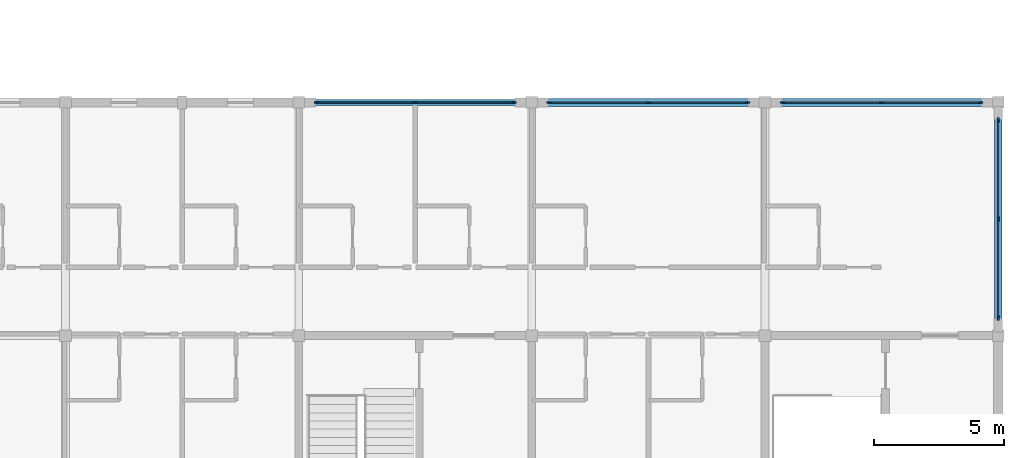
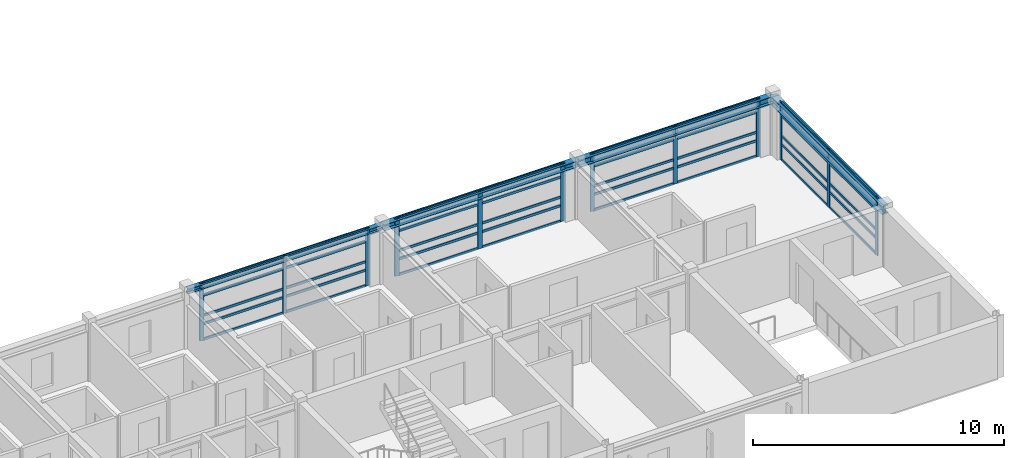
# One storey, part 5 of 20: 52 members, 4 beams, 4 elements without a shape of their own.
"""IFC4 building model written with IfcOpenShell, lengths in metres."""

from ifc_helpers import new_model, si_unit, direction, frame, origin, origin_2d, place, context, subcontext, project, spatial, rectangle, i_section, extrude, material, material_profile, profile_set, type_object, element, aggregate, save


model = new_model("IFC4")

# Units and contexts
model_context = context("Model", 3, precision=1e-05, world=origin(), true_north=direction((0.0, 1.0)))
body_context = subcontext(model_context, "Body", "Model", "MODEL_VIEW")
ifc_project = project(units=[si_unit("LENGTHUNIT", "METRE"), si_unit("AREAUNIT", "SQUARE_METRE"), si_unit("VOLUMEUNIT", "CUBIC_METRE"), si_unit("PLANEANGLEUNIT", "RADIAN"), si_unit("MASSUNIT", "GRAM", prefix="KILO")], contexts=[model_context])

# Site, building, storey
site_placement = place(None, origin())
site = spatial("IfcSite", under=ifc_project, at=site_placement, CompositionType="ELEMENT")
building_placement = place(site_placement, origin())
building = spatial("IfcBuilding", under=site, at=building_placement, Name="Palais des Congres Ocreval", CompositionType="ELEMENT")
storey_placement = place(building_placement, frame((0.0, 0.0, 20.639892578125)))
storey = spatial("IfcBuildingStorey", under=building, at=storey_placement, Name="L06", CompositionType="ELEMENT", Elevation=20.639892578125)

# Curtain wall, members
ifc_material_1 = material(Name="Anodized bronze aluminium and low-E glass", Category="glass")
curtain_wall_type = type_object("IfcCurtainWallType", Name="Unitised Curtain Wall 7900x2820", PredefinedType="USERDEFINED", material=ifc_material_1)
curtain_wall_1_placement = place(storey_placement, origin())
curtain_wall_1 = element("IfcCurtainWall", 1, at=curtain_wall_1_placement, inside=storey, type_object=curtain_wall_type, Name="Unitised Curtain Wall CW04 L06", ObjectType="UNITISED CURTAIN WALL", PredefinedType="USERDEFINED")
ifc_material_2 = material(Name="Anodized bronze aluminium", Category="aluminium")
ifc_material_profile_1 = material_profile(ifc_material_2, rectangle(XDim=0.06494140625, YDim=0.179931640625, at=origin_2d()), Name="ALU 65x180")
ifc_profile_set_1 = profile_set([ifc_material_profile_1], Name="Anodized bronze aluminium")
member_type_1 = type_object("IfcMemberType", Name="Curtain Wall Mullion ALU 65x180", PredefinedType="MULLION", material=ifc_profile_set_1)
member_1_placement = place(storey_placement, frame((63.0, 17.3173828125, 0.0), z_axis=(0.0, 0.0, 1.0), x_axis=(1.0, 0.0, 0.0)))
member_1 = element("IfcMember", 2, at=member_1_placement, type_object=member_type_1, Name="Curtain Wall Mullion ML03", PredefinedType="MULLION", context=body_context, shape_type="SweptSolid", body=[
    extrude(rectangle(XDim=0.06494140625, YDim=0.179931640625, at=origin_2d()), origin(), (0.0, 0.0, 1.0), 2.820068359375),
])
member_2_placement = place(storey_placement, frame((63.0, 13.5, 0.0), z_axis=(0.0, 0.0, 1.0), x_axis=(1.0, 0.0, 0.0)))
member_2 = element("IfcMember", 3, at=member_2_placement, type_object=member_type_1, Name="Curtain Wall Mullion ML03", PredefinedType="MULLION", context=body_context, shape_type="SweptSolid", body=[
    extrude(rectangle(XDim=0.06494140625, YDim=0.179931640625, at=origin_2d()), origin(), (0.0, 0.0, 1.0), 2.820068359375),
])
member_3_placement = place(storey_placement, frame((63.0, 9.6826171875, 0.0), z_axis=(0.0, 0.0, 1.0), x_axis=(1.0, 0.0, 0.0)))
member_3 = element("IfcMember", 4, at=member_3_placement, type_object=member_type_1, Name="Curtain Wall Mullion ML03", PredefinedType="MULLION", context=body_context, shape_type="SweptSolid", body=[
    extrude(rectangle(XDim=0.06494140625, YDim=0.179931640625, at=origin_2d()), origin(), (0.0, 0.0, 1.0), 2.820068359375),
])

curtain_wall_2_placement = place(storey_placement, origin())
curtain_wall_2 = element("IfcCurtainWall", 5, at=curtain_wall_2_placement, inside=storey, type_object=curtain_wall_type, Name="Unitised Curtain Wall CW04 L06", ObjectType="UNITISED CURTAIN WALL", PredefinedType="USERDEFINED")
member_4_placement = place(storey_placement, frame((36.6826171875, 18.0, 0.0), z_axis=(0.0, 0.0, 1.0), x_axis=(0.0, 1.0, 0.0)))
member_4 = element("IfcMember", 6, at=member_4_placement, type_object=member_type_1, Name="Curtain Wall Mullion ML03", PredefinedType="MULLION", context=body_context, shape_type="SweptSolid", body=[
    extrude(rectangle(XDim=0.06494140625, YDim=0.179931640625, at=origin_2d()), origin(), (0.0, 0.0, 1.0), 2.820068359375),
])
member_5_placement = place(storey_placement, frame((40.5, 18.0, 0.0), z_axis=(0.0, 0.0, 1.0), x_axis=(0.0, 1.0, 0.0)))
member_5 = element("IfcMember", 7, at=member_5_placement, type_object=member_type_1, Name="Curtain Wall Mullion ML03", PredefinedType="MULLION", context=body_context, shape_type="SweptSolid", body=[
    extrude(rectangle(XDim=0.06494140625, YDim=0.179931640625, at=origin_2d()), origin(), (0.0, 0.0, 1.0), 2.820068359375),
])
member_6_placement = place(storey_placement, frame((44.3173828125, 18.0, 0.0), z_axis=(0.0, 0.0, 1.0), x_axis=(0.0, 1.0, 0.0)))
member_6 = element("IfcMember", 8, at=member_6_placement, type_object=member_type_1, Name="Curtain Wall Mullion ML03", PredefinedType="MULLION", context=body_context, shape_type="SweptSolid", body=[
    extrude(rectangle(XDim=0.06494140625, YDim=0.179931640625, at=origin_2d()), origin(), (0.0, 0.0, 1.0), 2.820068359375),
])

curtain_wall_3_placement = place(storey_placement, origin())
curtain_wall_3 = element("IfcCurtainWall", 9, at=curtain_wall_3_placement, inside=storey, type_object=curtain_wall_type, Name="Unitised Curtain Wall CW04 L06", ObjectType="UNITISED CURTAIN WALL", PredefinedType="USERDEFINED")
member_7_placement = place(storey_placement, frame((54.6826171875, 18.0, 0.0), z_axis=(0.0, 0.0, 1.0), x_axis=(0.0, 1.0, 0.0)))
member_7 = element("IfcMember", 10, at=member_7_placement, type_object=member_type_1, Name="Curtain Wall Mullion ML03", PredefinedType="MULLION", context=body_context, shape_type="SweptSolid", body=[
    extrude(rectangle(XDim=0.06494140625, YDim=0.179931640625, at=origin_2d()), origin(), (0.0, 0.0, 1.0), 2.820068359375),
])
member_8_placement = place(storey_placement, frame((58.5, 18.0, 0.0), z_axis=(0.0, 0.0, 1.0), x_axis=(0.0, 1.0, 0.0)))
member_8 = element("IfcMember", 11, at=member_8_placement, type_object=member_type_1, Name="Curtain Wall Mullion ML03", PredefinedType="MULLION", context=body_context, shape_type="SweptSolid", body=[
    extrude(rectangle(XDim=0.06494140625, YDim=0.179931640625, at=origin_2d()), origin(), (0.0, 0.0, 1.0), 2.820068359375),
])
member_9_placement = place(storey_placement, frame((62.3173828125, 18.0, 0.0), z_axis=(0.0, 0.0, 1.0), x_axis=(0.0, 1.0, 0.0)))
member_9 = element("IfcMember", 12, at=member_9_placement, type_object=member_type_1, Name="Curtain Wall Mullion ML03", PredefinedType="MULLION", context=body_context, shape_type="SweptSolid", body=[
    extrude(rectangle(XDim=0.06494140625, YDim=0.179931640625, at=origin_2d()), origin(), (0.0, 0.0, 1.0), 2.820068359375),
])

curtain_wall_4_placement = place(storey_placement, origin())
curtain_wall_4 = element("IfcCurtainWall", 13, at=curtain_wall_4_placement, inside=storey, type_object=curtain_wall_type, Name="Unitised Curtain Wall CW04 L06", ObjectType="UNITISED CURTAIN WALL", PredefinedType="USERDEFINED")
ifc_material_profile_2 = material_profile(ifc_material_2, rectangle(XDim=0.070068359375, YDim=0.2099609375, at=origin_2d()), Name="ALU 70x210")
ifc_profile_set_2 = profile_set([ifc_material_profile_2], Name="Anodized bronze aluminium")
member_type_2 = type_object("IfcMemberType", Name="Curtain Wall Mullion ALU 70x210", PredefinedType="MULLION", material=ifc_profile_set_2)
member_10_placement = place(storey_placement, frame((45.68505859375, 18.0, 0.0), z_axis=(0.0, 0.0, 1.0), x_axis=(0.0, 1.0, 0.0)))
member_10 = element("IfcMember", 14, at=member_10_placement, type_object=member_type_2, Name="Curtain Wall Mullion ML02", PredefinedType="MULLION", context=body_context, shape_type="SweptSolid", body=[
    extrude(rectangle(XDim=0.070068359375, YDim=0.2099609375, at=origin_2d()), origin(), (0.0, 0.0, 1.0), 2.820068359375),
])
member_11_placement = place(storey_placement, frame((49.5, 18.0, 0.0), z_axis=(0.0, 0.0, 1.0), x_axis=(0.0, 1.0, 0.0)))
member_11 = element("IfcMember", 15, at=member_11_placement, type_object=member_type_2, Name="Curtain Wall Mullion ML02", PredefinedType="MULLION", context=body_context, shape_type="SweptSolid", body=[
    extrude(rectangle(XDim=0.070068359375, YDim=0.2099609375, at=origin_2d()), origin(), (0.0, 0.0, 1.0), 2.820068359375),
])
member_12_placement = place(storey_placement, frame((53.31494140625, 18.0, 0.0), z_axis=(0.0, 0.0, 1.0), x_axis=(0.0, 1.0, 0.0)))
member_12 = element("IfcMember", 16, at=member_12_placement, type_object=member_type_2, Name="Curtain Wall Mullion ML02", PredefinedType="MULLION", context=body_context, shape_type="SweptSolid", body=[
    extrude(rectangle(XDim=0.070068359375, YDim=0.2099609375, at=origin_2d()), origin(), (0.0, 0.0, 1.0), 2.820068359375),
])

# Member
ifc_material_profile_3 = material_profile(ifc_material_2, rectangle(XDim=0.06005859375, YDim=0.1201171875, at=origin_2d()), Name="ALU 60x120")
ifc_profile_set_3 = profile_set([ifc_material_profile_3], Name="Anodized bronze aluminium")
member_type_3 = type_object("IfcMemberType", Name="Curtain Wall Transom ALU 60x120", PredefinedType="USERDEFINED", material=ifc_profile_set_3)
member_13_placement = place(storey_placement, frame((63.0, 17.284912109375, 0.030029296875), z_axis=(0.0, -1.0, 0.0), x_axis=(1.0, 0.0, 0.0)))
member_13 = element("IfcMember", 17, at=member_13_placement, type_object=member_type_3, Name="Curtain Wall Transom TR02", ObjectType="TRANSOM", PredefinedType="USERDEFINED", context=body_context, shape_type="SweptSolid", body=[
    extrude(rectangle(XDim=0.06005859375, YDim=0.1201171875, at=origin_2d()), origin(), (0.0, 0.0, 1.0), 3.75244140625),
])

member_14_placement = place(storey_placement, frame((63.0, 17.284912109375, 0.780029296875), z_axis=(0.0, -1.0, 0.0), x_axis=(1.0, 0.0, 0.0)))
member_14 = element("IfcMember", 18, at=member_14_placement, type_object=member_type_3, Name="Curtain Wall Transom TR02", ObjectType="TRANSOM", PredefinedType="USERDEFINED", context=body_context, shape_type="SweptSolid", body=[
    extrude(rectangle(XDim=0.06005859375, YDim=0.1201171875, at=origin_2d()), origin(), (0.0, 0.0, 1.0), 3.75244140625),
])

member_15_placement = place(storey_placement, frame((63.0, 17.284912109375, 1.193603515625), z_axis=(0.0, -1.0, 0.0), x_axis=(1.0, 0.0, 0.0)))
member_15 = element("IfcMember", 19, at=member_15_placement, type_object=member_type_3, Name="Curtain Wall Transom TR02", ObjectType="TRANSOM", PredefinedType="USERDEFINED", context=body_context, shape_type="SweptSolid", body=[
    extrude(rectangle(XDim=0.06005859375, YDim=0.1201171875, at=origin_2d()), origin(), (0.0, 0.0, 1.0), 3.75244140625),
])

member_16_placement = place(storey_placement, frame((63.0, 17.284912109375, 2.170166015625), z_axis=(0.0, -1.0, 0.0), x_axis=(1.0, 0.0, 0.0)))
member_16 = element("IfcMember", 20, at=member_16_placement, type_object=member_type_3, Name="Curtain Wall Transom TR02", ObjectType="TRANSOM", PredefinedType="USERDEFINED", context=body_context, shape_type="SweptSolid", body=[
    extrude(rectangle(XDim=0.06005859375, YDim=0.1201171875, at=origin_2d()), origin(), (0.0, 0.0, 1.0), 3.75244140625),
])

member_17_placement = place(storey_placement, frame((63.0, 17.284912109375, 2.7900390625), z_axis=(0.0, -1.0, 0.0), x_axis=(1.0, 0.0, 0.0)))
member_17 = element("IfcMember", 21, at=member_17_placement, type_object=member_type_3, Name="Curtain Wall Transom TR02", ObjectType="TRANSOM", PredefinedType="USERDEFINED", context=body_context, shape_type="SweptSolid", body=[
    extrude(rectangle(XDim=0.06005859375, YDim=0.1201171875, at=origin_2d()), origin(), (0.0, 0.0, 1.0), 3.75244140625),
])

member_18_placement = place(storey_placement, frame((63.0, 13.467529296875, 0.030029296875), z_axis=(0.0, -1.0, 0.0), x_axis=(1.0, 0.0, 0.0)))
member_18 = element("IfcMember", 22, at=member_18_placement, type_object=member_type_3, Name="Curtain Wall Transom TR02", ObjectType="TRANSOM", PredefinedType="USERDEFINED", context=body_context, shape_type="SweptSolid", body=[
    extrude(rectangle(XDim=0.06005859375, YDim=0.1201171875, at=origin_2d()), origin(), (0.0, 0.0, 1.0), 3.75244140625),
])

member_19_placement = place(storey_placement, frame((63.0, 13.467529296875, 0.780029296875), z_axis=(0.0, -1.0, 0.0), x_axis=(1.0, 0.0, 0.0)))
member_19 = element("IfcMember", 23, at=member_19_placement, type_object=member_type_3, Name="Curtain Wall Transom TR02", ObjectType="TRANSOM", PredefinedType="USERDEFINED", context=body_context, shape_type="SweptSolid", body=[
    extrude(rectangle(XDim=0.06005859375, YDim=0.1201171875, at=origin_2d()), origin(), (0.0, 0.0, 1.0), 3.75244140625),
])

member_20_placement = place(storey_placement, frame((63.0, 13.467529296875, 1.193603515625), z_axis=(0.0, -1.0, 0.0), x_axis=(1.0, 0.0, 0.0)))
member_20 = element("IfcMember", 24, at=member_20_placement, type_object=member_type_3, Name="Curtain Wall Transom TR02", ObjectType="TRANSOM", PredefinedType="USERDEFINED", context=body_context, shape_type="SweptSolid", body=[
    extrude(rectangle(XDim=0.06005859375, YDim=0.1201171875, at=origin_2d()), origin(), (0.0, 0.0, 1.0), 3.75244140625),
])

member_21_placement = place(storey_placement, frame((63.0, 13.467529296875, 2.170166015625), z_axis=(0.0, -1.0, 0.0), x_axis=(1.0, 0.0, 0.0)))
member_21 = element("IfcMember", 25, at=member_21_placement, type_object=member_type_3, Name="Curtain Wall Transom TR02", ObjectType="TRANSOM", PredefinedType="USERDEFINED", context=body_context, shape_type="SweptSolid", body=[
    extrude(rectangle(XDim=0.06005859375, YDim=0.1201171875, at=origin_2d()), origin(), (0.0, 0.0, 1.0), 3.75244140625),
])

member_22_placement = place(storey_placement, frame((63.0, 13.467529296875, 2.7900390625), z_axis=(0.0, -1.0, 0.0), x_axis=(1.0, 0.0, 0.0)))
member_22 = element("IfcMember", 26, at=member_22_placement, type_object=member_type_3, Name="Curtain Wall Transom TR02", ObjectType="TRANSOM", PredefinedType="USERDEFINED", context=body_context, shape_type="SweptSolid", body=[
    extrude(rectangle(XDim=0.06005859375, YDim=0.1201171875, at=origin_2d()), origin(), (0.0, 0.0, 1.0), 3.75244140625),
])

aggregate(curtain_wall_1, [member_1, member_2, member_3, member_13, member_14, member_15, member_16, member_17, member_18, member_19, member_20, member_21, member_22])

member_23_placement = place(storey_placement, frame((36.715087890625, 18.0, 0.030029296875), z_axis=(1.0, 0.0, 0.0), x_axis=(0.0, 1.0, 0.0)))
member_23 = element("IfcMember", 27, at=member_23_placement, type_object=member_type_3, Name="Curtain Wall Transom TR02", ObjectType="TRANSOM", PredefinedType="USERDEFINED", context=body_context, shape_type="SweptSolid", body=[
    extrude(rectangle(XDim=0.06005859375, YDim=0.1201171875, at=origin_2d()), origin(), (0.0, 0.0, 1.0), 3.75244140625),
])

member_24_placement = place(storey_placement, frame((36.715087890625, 18.0, 0.780029296875), z_axis=(1.0, 0.0, 0.0), x_axis=(0.0, 1.0, 0.0)))
member_24 = element("IfcMember", 28, at=member_24_placement, type_object=member_type_3, Name="Curtain Wall Transom TR02", ObjectType="TRANSOM", PredefinedType="USERDEFINED", context=body_context, shape_type="SweptSolid", body=[
    extrude(rectangle(XDim=0.06005859375, YDim=0.1201171875, at=origin_2d()), origin(), (0.0, 0.0, 1.0), 3.75244140625),
])

member_25_placement = place(storey_placement, frame((36.715087890625, 18.0, 1.193603515625), z_axis=(1.0, 0.0, 0.0), x_axis=(0.0, 1.0, 0.0)))
member_25 = element("IfcMember", 29, at=member_25_placement, type_object=member_type_3, Name="Curtain Wall Transom TR02", ObjectType="TRANSOM", PredefinedType="USERDEFINED", context=body_context, shape_type="SweptSolid", body=[
    extrude(rectangle(XDim=0.06005859375, YDim=0.1201171875, at=origin_2d()), origin(), (0.0, 0.0, 1.0), 3.75244140625),
])

member_26_placement = place(storey_placement, frame((36.715087890625, 18.0, 2.170166015625), z_axis=(1.0, 0.0, 0.0), x_axis=(0.0, 1.0, 0.0)))
member_26 = element("IfcMember", 30, at=member_26_placement, type_object=member_type_3, Name="Curtain Wall Transom TR02", ObjectType="TRANSOM", PredefinedType="USERDEFINED", context=body_context, shape_type="SweptSolid", body=[
    extrude(rectangle(XDim=0.06005859375, YDim=0.1201171875, at=origin_2d()), origin(), (0.0, 0.0, 1.0), 3.75244140625),
])

member_27_placement = place(storey_placement, frame((36.715087890625, 18.0, 2.7900390625), z_axis=(1.0, 0.0, 0.0), x_axis=(0.0, 1.0, 0.0)))
member_27 = element("IfcMember", 31, at=member_27_placement, type_object=member_type_3, Name="Curtain Wall Transom TR02", ObjectType="TRANSOM", PredefinedType="USERDEFINED", context=body_context, shape_type="SweptSolid", body=[
    extrude(rectangle(XDim=0.06005859375, YDim=0.1201171875, at=origin_2d()), origin(), (0.0, 0.0, 1.0), 3.75244140625),
])

member_28_placement = place(storey_placement, frame((40.532470703125, 18.0, 0.030029296875), z_axis=(1.0, 0.0, 0.0), x_axis=(0.0, 1.0, 0.0)))
member_28 = element("IfcMember", 32, at=member_28_placement, type_object=member_type_3, Name="Curtain Wall Transom TR02", ObjectType="TRANSOM", PredefinedType="USERDEFINED", context=body_context, shape_type="SweptSolid", body=[
    extrude(rectangle(XDim=0.06005859375, YDim=0.1201171875, at=origin_2d()), origin(), (0.0, 0.0, 1.0), 3.75244140625),
])

member_29_placement = place(storey_placement, frame((40.532470703125, 18.0, 0.780029296875), z_axis=(1.0, 0.0, 0.0), x_axis=(0.0, 1.0, 0.0)))
member_29 = element("IfcMember", 33, at=member_29_placement, type_object=member_type_3, Name="Curtain Wall Transom TR02", ObjectType="TRANSOM", PredefinedType="USERDEFINED", context=body_context, shape_type="SweptSolid", body=[
    extrude(rectangle(XDim=0.06005859375, YDim=0.1201171875, at=origin_2d()), origin(), (0.0, 0.0, 1.0), 3.75244140625),
])

member_30_placement = place(storey_placement, frame((40.532470703125, 18.0, 1.193603515625), z_axis=(1.0, 0.0, 0.0), x_axis=(0.0, 1.0, 0.0)))
member_30 = element("IfcMember", 34, at=member_30_placement, type_object=member_type_3, Name="Curtain Wall Transom TR02", ObjectType="TRANSOM", PredefinedType="USERDEFINED", context=body_context, shape_type="SweptSolid", body=[
    extrude(rectangle(XDim=0.06005859375, YDim=0.1201171875, at=origin_2d()), origin(), (0.0, 0.0, 1.0), 3.75244140625),
])

member_31_placement = place(storey_placement, frame((40.532470703125, 18.0, 2.170166015625), z_axis=(1.0, 0.0, 0.0), x_axis=(0.0, 1.0, 0.0)))
member_31 = element("IfcMember", 35, at=member_31_placement, type_object=member_type_3, Name="Curtain Wall Transom TR02", ObjectType="TRANSOM", PredefinedType="USERDEFINED", context=body_context, shape_type="SweptSolid", body=[
    extrude(rectangle(XDim=0.06005859375, YDim=0.1201171875, at=origin_2d()), origin(), (0.0, 0.0, 1.0), 3.75244140625),
])

member_32_placement = place(storey_placement, frame((40.532470703125, 18.0, 2.7900390625), z_axis=(1.0, 0.0, 0.0), x_axis=(0.0, 1.0, 0.0)))
member_32 = element("IfcMember", 36, at=member_32_placement, type_object=member_type_3, Name="Curtain Wall Transom TR02", ObjectType="TRANSOM", PredefinedType="USERDEFINED", context=body_context, shape_type="SweptSolid", body=[
    extrude(rectangle(XDim=0.06005859375, YDim=0.1201171875, at=origin_2d()), origin(), (0.0, 0.0, 1.0), 3.75244140625),
])

aggregate(curtain_wall_2, [member_4, member_5, member_6, member_23, member_24, member_25, member_26, member_27, member_28, member_29, member_30, member_31, member_32])

member_33_placement = place(storey_placement, frame((45.719970703125, 18.0, 0.030029296875), z_axis=(1.0, 0.0, 0.0), x_axis=(0.0, 1.0, 0.0)))
member_33 = element("IfcMember", 37, at=member_33_placement, type_object=member_type_3, Name="Curtain Wall Transom TR02", ObjectType="TRANSOM", PredefinedType="USERDEFINED", context=body_context, shape_type="SweptSolid", body=[
    extrude(rectangle(XDim=0.06005859375, YDim=0.1201171875, at=origin_2d()), origin(), (0.0, 0.0, 1.0), 3.7451171875),
])

member_34_placement = place(storey_placement, frame((45.719970703125, 18.0, 0.780029296875), z_axis=(1.0, 0.0, 0.0), x_axis=(0.0, 1.0, 0.0)))
member_34 = element("IfcMember", 38, at=member_34_placement, type_object=member_type_3, Name="Curtain Wall Transom TR02", ObjectType="TRANSOM", PredefinedType="USERDEFINED", context=body_context, shape_type="SweptSolid", body=[
    extrude(rectangle(XDim=0.06005859375, YDim=0.1201171875, at=origin_2d()), origin(), (0.0, 0.0, 1.0), 3.7451171875),
])

member_35_placement = place(storey_placement, frame((45.719970703125, 18.0, 1.193603515625), z_axis=(1.0, 0.0, 0.0), x_axis=(0.0, 1.0, 0.0)))
member_35 = element("IfcMember", 39, at=member_35_placement, type_object=member_type_3, Name="Curtain Wall Transom TR02", ObjectType="TRANSOM", PredefinedType="USERDEFINED", context=body_context, shape_type="SweptSolid", body=[
    extrude(rectangle(XDim=0.06005859375, YDim=0.1201171875, at=origin_2d()), origin(), (0.0, 0.0, 1.0), 3.7451171875),
])

member_36_placement = place(storey_placement, frame((45.719970703125, 18.0, 2.170166015625), z_axis=(1.0, 0.0, 0.0), x_axis=(0.0, 1.0, 0.0)))
member_36 = element("IfcMember", 40, at=member_36_placement, type_object=member_type_3, Name="Curtain Wall Transom TR02", ObjectType="TRANSOM", PredefinedType="USERDEFINED", context=body_context, shape_type="SweptSolid", body=[
    extrude(rectangle(XDim=0.06005859375, YDim=0.1201171875, at=origin_2d()), origin(), (0.0, 0.0, 1.0), 3.7451171875),
])

member_37_placement = place(storey_placement, frame((45.719970703125, 18.0, 2.7900390625), z_axis=(1.0, 0.0, 0.0), x_axis=(0.0, 1.0, 0.0)))
member_37 = element("IfcMember", 41, at=member_37_placement, type_object=member_type_3, Name="Curtain Wall Transom TR02", ObjectType="TRANSOM", PredefinedType="USERDEFINED", context=body_context, shape_type="SweptSolid", body=[
    extrude(rectangle(XDim=0.06005859375, YDim=0.1201171875, at=origin_2d()), origin(), (0.0, 0.0, 1.0), 3.7451171875),
])

member_38_placement = place(storey_placement, frame((49.534912109375, 18.0, 0.030029296875), z_axis=(1.0, 0.0, 0.0), x_axis=(0.0, 1.0, 0.0)))
member_38 = element("IfcMember", 42, at=member_38_placement, type_object=member_type_3, Name="Curtain Wall Transom TR02", ObjectType="TRANSOM", PredefinedType="USERDEFINED", context=body_context, shape_type="SweptSolid", body=[
    extrude(rectangle(XDim=0.06005859375, YDim=0.1201171875, at=origin_2d()), origin(), (0.0, 0.0, 1.0), 3.7451171875),
])

member_39_placement = place(storey_placement, frame((49.534912109375, 18.0, 0.780029296875), z_axis=(1.0, 0.0, 0.0), x_axis=(0.0, 1.0, 0.0)))
member_39 = element("IfcMember", 43, at=member_39_placement, type_object=member_type_3, Name="Curtain Wall Transom TR02", ObjectType="TRANSOM", PredefinedType="USERDEFINED", context=body_context, shape_type="SweptSolid", body=[
    extrude(rectangle(XDim=0.06005859375, YDim=0.1201171875, at=origin_2d()), origin(), (0.0, 0.0, 1.0), 3.7451171875),
])

member_40_placement = place(storey_placement, frame((49.534912109375, 18.0, 1.193603515625), z_axis=(1.0, 0.0, 0.0), x_axis=(0.0, 1.0, 0.0)))
member_40 = element("IfcMember", 44, at=member_40_placement, type_object=member_type_3, Name="Curtain Wall Transom TR02", ObjectType="TRANSOM", PredefinedType="USERDEFINED", context=body_context, shape_type="SweptSolid", body=[
    extrude(rectangle(XDim=0.06005859375, YDim=0.1201171875, at=origin_2d()), origin(), (0.0, 0.0, 1.0), 3.7451171875),
])

member_41_placement = place(storey_placement, frame((49.534912109375, 18.0, 2.170166015625), z_axis=(1.0, 0.0, 0.0), x_axis=(0.0, 1.0, 0.0)))
member_41 = element("IfcMember", 45, at=member_41_placement, type_object=member_type_3, Name="Curtain Wall Transom TR02", ObjectType="TRANSOM", PredefinedType="USERDEFINED", context=body_context, shape_type="SweptSolid", body=[
    extrude(rectangle(XDim=0.06005859375, YDim=0.1201171875, at=origin_2d()), origin(), (0.0, 0.0, 1.0), 3.7451171875),
])

member_42_placement = place(storey_placement, frame((49.534912109375, 18.0, 2.7900390625), z_axis=(1.0, 0.0, 0.0), x_axis=(0.0, 1.0, 0.0)))
member_42 = element("IfcMember", 46, at=member_42_placement, type_object=member_type_3, Name="Curtain Wall Transom TR02", ObjectType="TRANSOM", PredefinedType="USERDEFINED", context=body_context, shape_type="SweptSolid", body=[
    extrude(rectangle(XDim=0.06005859375, YDim=0.1201171875, at=origin_2d()), origin(), (0.0, 0.0, 1.0), 3.7451171875),
])

aggregate(curtain_wall_4, [member_10, member_11, member_12, member_33, member_34, member_35, member_36, member_37, member_38, member_39, member_40, member_41, member_42])

member_43_placement = place(storey_placement, frame((54.715087890625, 18.0, 0.030029296875), z_axis=(1.0, 0.0, 0.0), x_axis=(0.0, 1.0, 0.0)))
member_43 = element("IfcMember", 47, at=member_43_placement, type_object=member_type_3, Name="Curtain Wall Transom TR02", ObjectType="TRANSOM", PredefinedType="USERDEFINED", context=body_context, shape_type="SweptSolid", body=[
    extrude(rectangle(XDim=0.06005859375, YDim=0.1201171875, at=origin_2d()), origin(), (0.0, 0.0, 1.0), 3.75244140625),
])

member_44_placement = place(storey_placement, frame((54.715087890625, 18.0, 0.780029296875), z_axis=(1.0, 0.0, 0.0), x_axis=(0.0, 1.0, 0.0)))
member_44 = element("IfcMember", 48, at=member_44_placement, type_object=member_type_3, Name="Curtain Wall Transom TR02", ObjectType="TRANSOM", PredefinedType="USERDEFINED", context=body_context, shape_type="SweptSolid", body=[
    extrude(rectangle(XDim=0.06005859375, YDim=0.1201171875, at=origin_2d()), origin(), (0.0, 0.0, 1.0), 3.75244140625),
])

member_45_placement = place(storey_placement, frame((54.715087890625, 18.0, 1.193603515625), z_axis=(1.0, 0.0, 0.0), x_axis=(0.0, 1.0, 0.0)))
member_45 = element("IfcMember", 49, at=member_45_placement, type_object=member_type_3, Name="Curtain Wall Transom TR02", ObjectType="TRANSOM", PredefinedType="USERDEFINED", context=body_context, shape_type="SweptSolid", body=[
    extrude(rectangle(XDim=0.06005859375, YDim=0.1201171875, at=origin_2d()), origin(), (0.0, 0.0, 1.0), 3.75244140625),
])

member_46_placement = place(storey_placement, frame((54.715087890625, 18.0, 2.170166015625), z_axis=(1.0, 0.0, 0.0), x_axis=(0.0, 1.0, 0.0)))
member_46 = element("IfcMember", 50, at=member_46_placement, type_object=member_type_3, Name="Curtain Wall Transom TR02", ObjectType="TRANSOM", PredefinedType="USERDEFINED", context=body_context, shape_type="SweptSolid", body=[
    extrude(rectangle(XDim=0.06005859375, YDim=0.1201171875, at=origin_2d()), origin(), (0.0, 0.0, 1.0), 3.75244140625),
])

member_47_placement = place(storey_placement, frame((54.715087890625, 18.0, 2.7900390625), z_axis=(1.0, 0.0, 0.0), x_axis=(0.0, 1.0, 0.0)))
member_47 = element("IfcMember", 51, at=member_47_placement, type_object=member_type_3, Name="Curtain Wall Transom TR02", ObjectType="TRANSOM", PredefinedType="USERDEFINED", context=body_context, shape_type="SweptSolid", body=[
    extrude(rectangle(XDim=0.06005859375, YDim=0.1201171875, at=origin_2d()), origin(), (0.0, 0.0, 1.0), 3.75244140625),
])

member_48_placement = place(storey_placement, frame((58.532470703125, 18.0, 0.030029296875), z_axis=(1.0, 0.0, 0.0), x_axis=(0.0, 1.0, 0.0)))
member_48 = element("IfcMember", 52, at=member_48_placement, type_object=member_type_3, Name="Curtain Wall Transom TR02", ObjectType="TRANSOM", PredefinedType="USERDEFINED", context=body_context, shape_type="SweptSolid", body=[
    extrude(rectangle(XDim=0.06005859375, YDim=0.1201171875, at=origin_2d()), origin(), (0.0, 0.0, 1.0), 3.75244140625),
])

member_49_placement = place(storey_placement, frame((58.532470703125, 18.0, 0.780029296875), z_axis=(1.0, 0.0, 0.0), x_axis=(0.0, 1.0, 0.0)))
member_49 = element("IfcMember", 53, at=member_49_placement, type_object=member_type_3, Name="Curtain Wall Transom TR02", ObjectType="TRANSOM", PredefinedType="USERDEFINED", context=body_context, shape_type="SweptSolid", body=[
    extrude(rectangle(XDim=0.06005859375, YDim=0.1201171875, at=origin_2d()), origin(), (0.0, 0.0, 1.0), 3.75244140625),
])

member_50_placement = place(storey_placement, frame((58.532470703125, 18.0, 1.193603515625), z_axis=(1.0, 0.0, 0.0), x_axis=(0.0, 1.0, 0.0)))
member_50 = element("IfcMember", 54, at=member_50_placement, type_object=member_type_3, Name="Curtain Wall Transom TR02", ObjectType="TRANSOM", PredefinedType="USERDEFINED", context=body_context, shape_type="SweptSolid", body=[
    extrude(rectangle(XDim=0.06005859375, YDim=0.1201171875, at=origin_2d()), origin(), (0.0, 0.0, 1.0), 3.75244140625),
])

member_51_placement = place(storey_placement, frame((58.532470703125, 18.0, 2.170166015625), z_axis=(1.0, 0.0, 0.0), x_axis=(0.0, 1.0, 0.0)))
member_51 = element("IfcMember", 55, at=member_51_placement, type_object=member_type_3, Name="Curtain Wall Transom TR02", ObjectType="TRANSOM", PredefinedType="USERDEFINED", context=body_context, shape_type="SweptSolid", body=[
    extrude(rectangle(XDim=0.06005859375, YDim=0.1201171875, at=origin_2d()), origin(), (0.0, 0.0, 1.0), 3.75244140625),
])

member_52_placement = place(storey_placement, frame((58.532470703125, 18.0, 2.7900390625), z_axis=(1.0, 0.0, 0.0), x_axis=(0.0, 1.0, 0.0)))
member_52 = element("IfcMember", 56, at=member_52_placement, type_object=member_type_3, Name="Curtain Wall Transom TR02", ObjectType="TRANSOM", PredefinedType="USERDEFINED", context=body_context, shape_type="SweptSolid", body=[
    extrude(rectangle(XDim=0.06005859375, YDim=0.1201171875, at=origin_2d()), origin(), (0.0, 0.0, 1.0), 3.75244140625),
])

aggregate(curtain_wall_3, [member_7, member_8, member_9, member_43, member_44, member_45, member_46, member_47, member_48, member_49, member_50, member_51, member_52])

# Beams
ifc_material_3 = material(Name="Steel S355", Category="steel")
ifc_material_profile_4 = material_profile(ifc_material_3, i_section(OverallWidth=0.239990234375, OverallDepth=0.22998046875, WebThickness=0.007568359375, FlangeThickness=0.011962890625, at=origin_2d()), Name="HEA 240")
ifc_profile_set_4 = profile_set([ifc_material_profile_4], Name="Steel S355")
beam_type_1 = type_object("IfcBeamType", Name="Perimeter Spandrel HEA 240 Steel S355", PredefinedType="SPANDREL", material=ifc_profile_set_4)
beam_1_placement = place(storey_placement, frame((36.02001953125, 18.0, 2.6650390625), z_axis=(1.0, 0.0, 0.0), x_axis=(0.0, 1.0, 0.0)))
element("IfcBeam", 57, at=beam_1_placement, inside=storey, type_object=beam_type_1, Name="Beam SP01 L06", PredefinedType="SPANDREL", context=body_context, shape_type="SweptSolid", body=[
    extrude(i_section(OverallWidth=0.239990234375, OverallDepth=0.22998046875, WebThickness=0.007568359375, FlangeThickness=0.011962890625, at=origin_2d()), origin(), (0.0, 0.0, 1.0), 8.9599609375),
])
ifc_material_profile_5 = material_profile(ifc_material_3, i_section(OverallWidth=0.300048828125, OverallDepth=0.300048828125, WebThickness=0.010986328125, FlangeThickness=0.01904296875, at=origin_2d()), Name="HEB 300")
ifc_profile_set_5 = profile_set([ifc_material_profile_5], Name="Steel S355")
beam_type_2 = type_object("IfcBeamType", Name="Perimeter Spandrel HEB 300 Steel S355", PredefinedType="SPANDREL", material=ifc_profile_set_5)
beam_2_placement = place(storey_placement, frame((45.02001953125, 18.0, 2.630126953125), z_axis=(1.0, 0.0, 0.0), x_axis=(0.0, 1.0, 0.0)))
element("IfcBeam", 58, at=beam_2_placement, inside=storey, type_object=beam_type_2, Name="Beam SP02 L06", PredefinedType="SPANDREL", context=body_context, shape_type="SweptSolid", body=[
    extrude(i_section(OverallWidth=0.300048828125, OverallDepth=0.300048828125, WebThickness=0.010986328125, FlangeThickness=0.01904296875, at=origin_2d()), origin(), (0.0, 0.0, 1.0), 8.9599609375),
])
ifc_material_profile_6 = material_profile(ifc_material_3, i_section(OverallWidth=0.300048828125, OverallDepth=0.360107421875, WebThickness=0.012451171875, FlangeThickness=0.0224609375, at=origin_2d()), Name="HEB 360")
ifc_profile_set_6 = profile_set([ifc_material_profile_6], Name="Steel S355")
beam_type_3 = type_object("IfcBeamType", Name="Perimeter Spandrel HEB 360 Steel S355", PredefinedType="SPANDREL", material=ifc_profile_set_6)
beam_3_placement = place(storey_placement, frame((54.02001953125, 18.0, 2.60009765625), z_axis=(1.0, 0.0, 0.0), x_axis=(0.0, 1.0, 0.0)))
element("IfcBeam", 59, at=beam_3_placement, inside=storey, type_object=beam_type_3, Name="Beam SP03 L06", PredefinedType="SPANDREL", context=body_context, shape_type="SweptSolid", body=[
    extrude(i_section(OverallWidth=0.300048828125, OverallDepth=0.360107421875, WebThickness=0.012451171875, FlangeThickness=0.0224609375, at=origin_2d()), origin(), (0.0, 0.0, 1.0), 8.9599609375),
])
ifc_material_profile_7 = material_profile(ifc_material_3, i_section(OverallWidth=0.300048828125, OverallDepth=0.389892578125, WebThickness=0.010986328125, FlangeThickness=0.01904296875, at=origin_2d()), Name="HEA 400")
ifc_profile_set_7 = profile_set([ifc_material_profile_7], Name="Steel S355")
beam_type_4 = type_object("IfcBeamType", Name="Primary Beam HEA 400 Steel S355", PredefinedType="BEAM", material=ifc_profile_set_7)
beam_4_placement = place(storey_placement, frame((63.0, 9.02001953125, 2.585205078125), z_axis=(0.0, 1.0, 0.0), x_axis=(-1.0, 0.0, 0.0)))
element("IfcBeam", 60, at=beam_4_placement, inside=storey, type_object=beam_type_4, Name="Girder B10 L06", PredefinedType="BEAM", context=body_context, shape_type="SweptSolid", body=[
    extrude(i_section(OverallWidth=0.300048828125, OverallDepth=0.389892578125, WebThickness=0.010986328125, FlangeThickness=0.01904296875, at=origin_2d()), origin(), (0.0, 0.0, 1.0), 8.9599609375),
])

save(model, "model.ifc")
